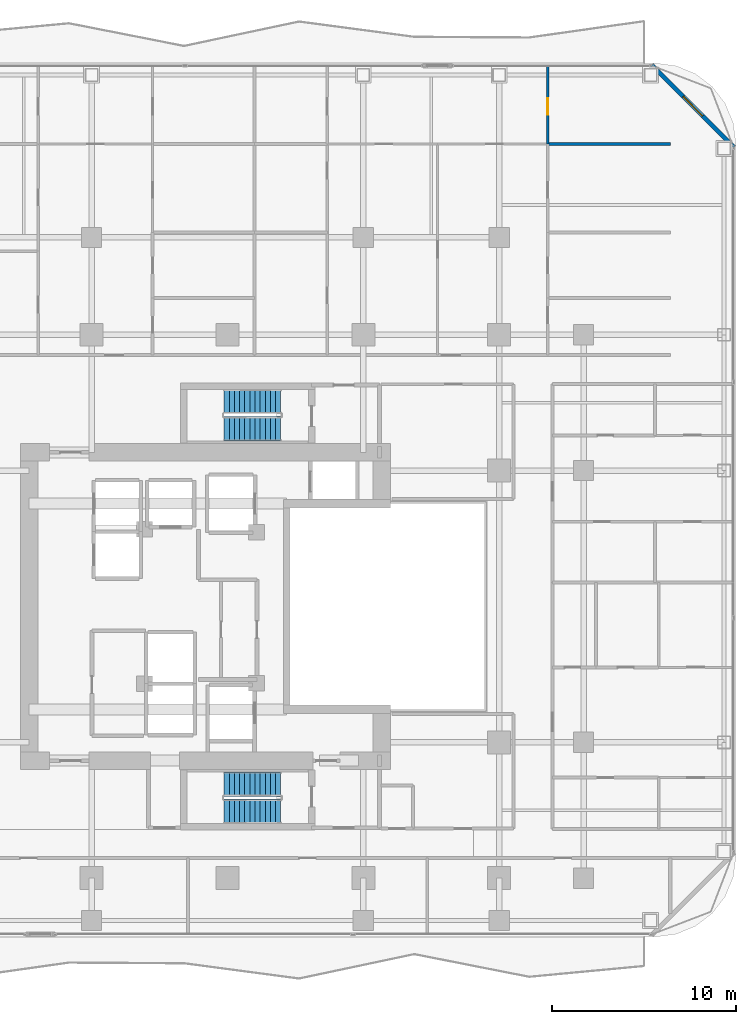
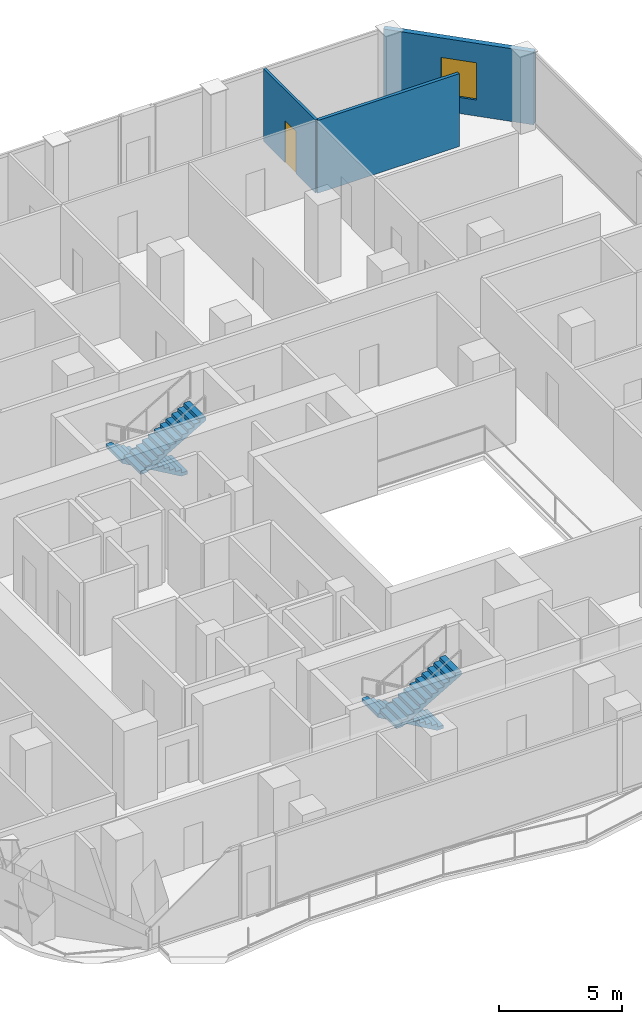
# One storey, part 24 of 27: 4 stair flights, 3 walls, 1 door, 1 window, 2 openings, 2 elements without a shape of their own.
"""IFC4 building model written with IfcOpenShell, lengths in metres."""

from ifc_helpers import new_model, si_unit, direction, frame, frame_2d, origin, place, context, subcontext, project, spatial, polyline, rectangle, outline, extrude, material, layer, layer_set, type_object, element, fill, aggregate, save


model = new_model("IFC4")

# Units and contexts
model_context = context("Model", 3, precision=1e-05, world=origin(), true_north=direction((0.0, 1.0)))
body_context = subcontext(model_context, "Body", "Model", "MODEL_VIEW")
ifc_project = project(units=[si_unit("LENGTHUNIT", "METRE"), si_unit("AREAUNIT", "SQUARE_METRE"), si_unit("VOLUMEUNIT", "CUBIC_METRE"), si_unit("PLANEANGLEUNIT", "RADIAN"), si_unit("MASSUNIT", "GRAM", prefix="KILO")], contexts=[model_context])

# Site, building, storey
site_placement = place(None, origin())
site = spatial("IfcSite", under=ifc_project, at=site_placement, CompositionType="ELEMENT")
building_placement = place(site_placement, origin())
building = spatial("IfcBuilding", under=site, at=building_placement, Name="Khorvyn Point Tower", CompositionType="ELEMENT")
storey_placement = place(building_placement, frame((0.0, 0.0, 132.89990234375)))
storey = spatial("IfcBuildingStorey", under=building, at=storey_placement, Name="L33", CompositionType="ELEMENT", Elevation=132.89990234375)

# Wall, opening, window
ifc_material_1 = material(Name="Pale anodised aluminium rainscreen on steel stud", Category="steel")
ifc_layer_1 = layer(ifc_material_1, 0.239990234375)
ifc_layer_set_1 = layer_set([ifc_layer_1], Name="Anodised Aluminium Insulated Corner Spandrel Wall 240")
wall_type_1 = type_object("IfcWallType", Name="Anodised Aluminium Insulated Corner Spandrel Wall 240", PredefinedType="SOLIDWALL", material=ifc_layer_set_1)
wall_1_placement = place(storey_placement, frame((23.107666015625, 29.492431640625, 0.0), z_axis=(0.0, 0.0, 1.0), x_axis=(0.707087534163, -0.707126027686, 0.0)))
wall_1 = element("IfcWall", 1, at=wall_1_placement, inside=storey, type_object=wall_type_1, Name="L33 Rounded Corner Wall NE", PredefinedType="SOLIDWALL", context=body_context, shape_type="SweptSolid", body=[
    extrude(rectangle(XDim=6.34228515625, YDim=0.239990234375, at=frame_2d((3.171142578125, 0.0))), origin(), (0.0, 0.0, 1.0), 3.6201171875),
])
opening_1_placement = place(wall_1_placement, frame((2.42138671875, 0.0, 0.800048828125)))
opening_1 = element("IfcOpeningElement", 2, at=opening_1_placement, cuts=wall_1, Name="Opening WN-1518", PredefinedType="OPENING", context=body_context, shape_type="SweptSolid", body=[
    extrude(rectangle(XDim=1.5, YDim=1.85009765625, at=frame_2d((0.75, 0.925048828125))), frame((0.0, 0.1298828125, 0.0), z_axis=(0.0, -1.0, 0.0), x_axis=(1.0, 0.0, 0.0)), (0.0, 0.0, 1.0), 0.260009765625),
])
ifc_material_2 = material(Name="Anodised aluminium 6063-T6 and laminated Low-E glass", Category="aluminium")
window_type = type_object("IfcWindowType", Name="Anodised Aluminium Rounded-Corner Panoramic Window 1500x1850", PartitioningType="SINGLE_PANEL", PredefinedType="WINDOW", material=ifc_material_2)
window_placement = place(opening_1_placement, origin())
window = element("IfcWindow", 3, at=window_placement, inside=storey, type_object=window_type, Name="L33 Corner Panoramic Window NE", OverallHeight=1.85009765625, OverallWidth=1.5, PartitioningType="SINGLE_PANEL", PredefinedType="WINDOW", context=body_context, shape_type="SweptSolid", body=[
    extrude(rectangle(XDim=1.5, YDim=1.85009765625, at=frame_2d((0.75, 0.925048828125))), frame((0.0, 0.030029296875, 0.0), z_axis=(0.0, -1.0, 0.0), x_axis=(1.0, 0.0, 0.0)), (0.0, 0.0, 1.0), 0.06005859375),
])
fill(opening_1, window)

# Wall, opening, door
ifc_material_3 = material(Name="Gypsum plasterboard on steel stud", Category="steel")
ifc_layer_2 = layer(ifc_material_3, 0.1201171875)
ifc_layer_set_2 = layer_set([ifc_layer_2], Name="Gypsum Acoustic Stud Room Partition Wall 120")
wall_type_2 = type_object("IfcWallType", Name="Gypsum Acoustic Stud Room Partition Wall 120", PredefinedType="PARTITIONING", material=ifc_layer_set_2)
wall_2_placement = place(storey_placement, frame((17.449951171875, 25.18994140625, 0.0), z_axis=(0.0, 0.0, 1.0), x_axis=(0.0, 1.0, 0.0)))
wall_2 = element("IfcWall", 4, at=wall_2_placement, inside=storey, type_object=wall_type_2, Name="Wall", PredefinedType="PARTITIONING", context=body_context, shape_type="SweptSolid", body=[
    extrude(rectangle(XDim=4.239990234375, YDim=0.1201171875, at=frame_2d((2.1201171875, 0.0))), origin(), (0.0, 0.0, 1.0), 3.6201171875),
])
opening_2_placement = place(wall_2_placement, frame((1.581298828125, 0.0, 0.0)))
opening_2 = element("IfcOpeningElement", 5, at=opening_2_placement, cuts=wall_2, Name="Opening ID-RM90", PredefinedType="OPENING", context=body_context, shape_type="SweptSolid", body=[
    extrude(rectangle(XDim=0.89990234375, YDim=2.10009765625, at=frame_2d((0.449951171875, 1.050048828125))), frame((0.0, 0.070068359375, 0.0), z_axis=(0.0, -1.0, 0.0), x_axis=(1.0, 0.0, 0.0)), (0.0, 0.0, 1.0), 0.14013671875),
])
ifc_material_4 = material(Name="Engineered oak veneer timber", Category="wood")
door_type = type_object("IfcDoorType", Name="Flush Engineered Timber Room Door 900x2100", OperationType="NOTDEFINED", PredefinedType="DOOR", material=ifc_material_4)
door_placement = place(opening_2_placement, origin())
door = element("IfcDoor", 6, at=door_placement, inside=storey, type_object=door_type, Name="Door", OperationType="SINGLE_SWING_RIGHT", OverallHeight=2.10009765625, OverallWidth=0.89990234375, PredefinedType="DOOR", context=body_context, shape_type="SweptSolid", body=[
    extrude(rectangle(XDim=0.89990234375, YDim=2.10009765625, at=frame_2d((0.449951171875, 1.050048828125))), frame((0.0, 0.02490234375, 0.0), z_axis=(0.0, -1.0, 0.0), x_axis=(1.0, 0.0, 0.0)), (0.0, 0.0, 1.0), 0.050048828125),
])
fill(opening_2, door)

# Wall
ifc_material_5 = material(Name="Moisture-resistant gypsum and cement board", Category="gypsum")
ifc_layer_3 = layer(ifc_material_5, 0.14990234375)
ifc_layer_set_3 = layer_set([ifc_layer_3], Name="Moisture-Resistant Wet-Room Partition Wall 150")
wall_type_3 = type_object("IfcWallType", Name="Moisture-Resistant Wet-Room Partition Wall 150", PredefinedType="PARTITIONING", material=ifc_layer_set_3)
wall_3_placement = place(storey_placement, frame((17.449951171875, 25.18994140625, 0.0), z_axis=(0.0, 0.0, 1.0), x_axis=(1.0, 0.0, 0.0)))
element("IfcWall", 7, at=wall_3_placement, inside=storey, type_object=wall_type_3, Name="Wall", PredefinedType="PARTITIONING", context=body_context, shape_type="SweptSolid", body=[
    extrude(rectangle(XDim=6.670166015625, YDim=0.14990234375, at=frame_2d((3.3349609375, 0.0))), origin(), (0.0, 0.0, 1.0), 3.6201171875),
])

# Stair, stair flights
ifc_material_6 = material(Name="Concrete C40/50", Category="concrete")
stair_type = type_object("IfcStairType", Name="Tower Concrete C40/50 Dogleg Exit Stair", PredefinedType="HALF_TURN_STAIR", material=ifc_material_6)
stair_1_placement = place(storey_placement, origin())
stair_1 = element("IfcStair", 8, at=stair_1_placement, inside=storey, type_object=stair_type, Name="L33 Tower Smokeproof Exit Stair South", PredefinedType="HALF_TURN_STAIR")
stair_flight_type = type_object("IfcStairFlightType", Name="Tower Concrete C40/50 Stair Flight", PredefinedType="STRAIGHT", material=ifc_material_6)
stair_flight_1_placement = place(storey_placement, frame((2.89990234375, -9.679931640625, 0.0), z_axis=(0.0, 0.0, 1.0), x_axis=(-1.0, 0.0, 0.0)))
stair_flight_1 = element("IfcStairFlight", 9, at=stair_flight_1_placement, type_object=stair_flight_type, Name="ST-01 flight 1", NumberOfRisers=12, NumberOfTreads=11, PredefinedType="STRAIGHT", RiserHeight=0.1625, TreadLength=0.28, context=body_context, shape_type="SweptSolid", body=[
    extrude(outline(polyline([(0.0, 0.0), (0.0, 0.16259765625), (0.280029296875, 0.16259765625), (0.280029296875, 0.324951171875), (0.56005859375, 0.324951171875), (0.56005859375, 0.487548828125), (0.840087890625, 0.487548828125), (0.840087890625, 0.64990234375), (1.1201171875, 0.64990234375), (1.1201171875, 0.8125), (1.39990234375, 0.8125), (1.39990234375, 0.97509765625), (1.679931640625, 0.97509765625), (1.679931640625, 1.137451171875), (1.9599609375, 1.137451171875), (1.9599609375, 1.300048828125), (2.239990234375, 1.300048828125), (2.239990234375, 1.46240234375), (2.52001953125, 1.46240234375), (2.52001953125, 1.625), (2.800048828125, 1.625), (2.800048828125, 1.78759765625), (3.080078125, 1.78759765625), (3.080078125, 1.949951171875), (3.080078125, 1.6142578125), (0.298583984375, 0.0), (0.0, 0.0)])), frame((0.0, 0.66015625, 0.0), z_axis=(0.0, -1.0, 0.0), x_axis=(1.0, 0.0, 0.0)), (0.0, 0.0, 1.0), 1.320068359375),
])
stair_flight_2_placement = place(storey_placement, frame((-0.179931640625, -11.159912109375, 1.9501953125), z_axis=(0.0, 0.0, 1.0), x_axis=(1.0, 0.0, 0.0)))
stair_flight_2 = element("IfcStairFlight", 10, at=stair_flight_2_placement, type_object=stair_flight_type, Name="ST-01 flight 2", NumberOfRisers=12, NumberOfTreads=11, PredefinedType="STRAIGHT", RiserHeight=0.1625, TreadLength=0.28, context=body_context, shape_type="SweptSolid", body=[
    extrude(outline(polyline([(0.0, 0.0), (0.0, 0.16259765625), (0.280029296875, 0.16259765625), (0.280029296875, 0.324951171875), (0.56005859375, 0.324951171875), (0.56005859375, 0.487548828125), (0.840087890625, 0.487548828125), (0.840087890625, 0.64990234375), (1.1201171875, 0.64990234375), (1.1201171875, 0.8125), (1.39990234375, 0.8125), (1.39990234375, 0.97509765625), (1.679931640625, 0.97509765625), (1.679931640625, 1.137451171875), (1.9599609375, 1.137451171875), (1.9599609375, 1.300048828125), (2.239990234375, 1.300048828125), (2.239990234375, 1.46240234375), (2.52001953125, 1.46240234375), (2.52001953125, 1.625), (2.800048828125, 1.625), (2.800048828125, 1.78759765625), (3.080078125, 1.78759765625), (3.080078125, 1.949951171875), (3.080078125, 1.6142578125), (0.298583984375, 0.0), (0.0, 0.0)])), frame((0.0, 0.66015625, 0.0), z_axis=(0.0, -1.0, 0.0), x_axis=(1.0, 0.0, 0.0)), (0.0, 0.0, 1.0), 1.320068359375),
])
aggregate(stair_1, [stair_flight_1, stair_flight_2])

stair_2_placement = place(storey_placement, origin())
stair_2 = element("IfcStair", 11, at=stair_2_placement, inside=storey, type_object=stair_type, Name="L33 Tower Smokeproof Exit Stair North", PredefinedType="HALF_TURN_STAIR")
stair_flight_3_placement = place(storey_placement, frame((2.89990234375, 11.159912109375, 0.0), z_axis=(0.0, 0.0, 1.0), x_axis=(-1.0, 0.0, 0.0)))
stair_flight_3 = element("IfcStairFlight", 12, at=stair_flight_3_placement, type_object=stair_flight_type, Name="ST-02 flight 1", NumberOfRisers=12, NumberOfTreads=11, PredefinedType="STRAIGHT", RiserHeight=0.1625, TreadLength=0.28, context=body_context, shape_type="SweptSolid", body=[
    extrude(outline(polyline([(0.0, 0.0), (0.0, 0.16259765625), (0.280029296875, 0.16259765625), (0.280029296875, 0.324951171875), (0.56005859375, 0.324951171875), (0.56005859375, 0.487548828125), (0.840087890625, 0.487548828125), (0.840087890625, 0.64990234375), (1.1201171875, 0.64990234375), (1.1201171875, 0.8125), (1.39990234375, 0.8125), (1.39990234375, 0.97509765625), (1.679931640625, 0.97509765625), (1.679931640625, 1.137451171875), (1.9599609375, 1.137451171875), (1.9599609375, 1.300048828125), (2.239990234375, 1.300048828125), (2.239990234375, 1.46240234375), (2.52001953125, 1.46240234375), (2.52001953125, 1.625), (2.800048828125, 1.625), (2.800048828125, 1.78759765625), (3.080078125, 1.78759765625), (3.080078125, 1.949951171875), (3.080078125, 1.6142578125), (0.298583984375, 0.0), (0.0, 0.0)])), frame((0.0, 0.66015625, 0.0), z_axis=(0.0, -1.0, 0.0), x_axis=(1.0, 0.0, 0.0)), (0.0, 0.0, 1.0), 1.320068359375),
])
stair_flight_4_placement = place(storey_placement, frame((-0.179931640625, 9.679931640625, 1.9501953125), z_axis=(0.0, 0.0, 1.0), x_axis=(1.0, 0.0, 0.0)))
stair_flight_4 = element("IfcStairFlight", 13, at=stair_flight_4_placement, type_object=stair_flight_type, Name="ST-02 flight 2", NumberOfRisers=12, NumberOfTreads=11, PredefinedType="STRAIGHT", RiserHeight=0.1625, TreadLength=0.28, context=body_context, shape_type="SweptSolid", body=[
    extrude(outline(polyline([(0.0, 0.0), (0.0, 0.16259765625), (0.280029296875, 0.16259765625), (0.280029296875, 0.324951171875), (0.56005859375, 0.324951171875), (0.56005859375, 0.487548828125), (0.840087890625, 0.487548828125), (0.840087890625, 0.64990234375), (1.1201171875, 0.64990234375), (1.1201171875, 0.8125), (1.39990234375, 0.8125), (1.39990234375, 0.97509765625), (1.679931640625, 0.97509765625), (1.679931640625, 1.137451171875), (1.9599609375, 1.137451171875), (1.9599609375, 1.300048828125), (2.239990234375, 1.300048828125), (2.239990234375, 1.46240234375), (2.52001953125, 1.46240234375), (2.52001953125, 1.625), (2.800048828125, 1.625), (2.800048828125, 1.78759765625), (3.080078125, 1.78759765625), (3.080078125, 1.949951171875), (3.080078125, 1.6142578125), (0.298583984375, 0.0), (0.0, 0.0)])), frame((0.0, 0.66015625, 0.0), z_axis=(0.0, -1.0, 0.0), x_axis=(1.0, 0.0, 0.0)), (0.0, 0.0, 1.0), 1.320068359375),
])
aggregate(stair_2, [stair_flight_3, stair_flight_4])

save(model, "model.ifc")
